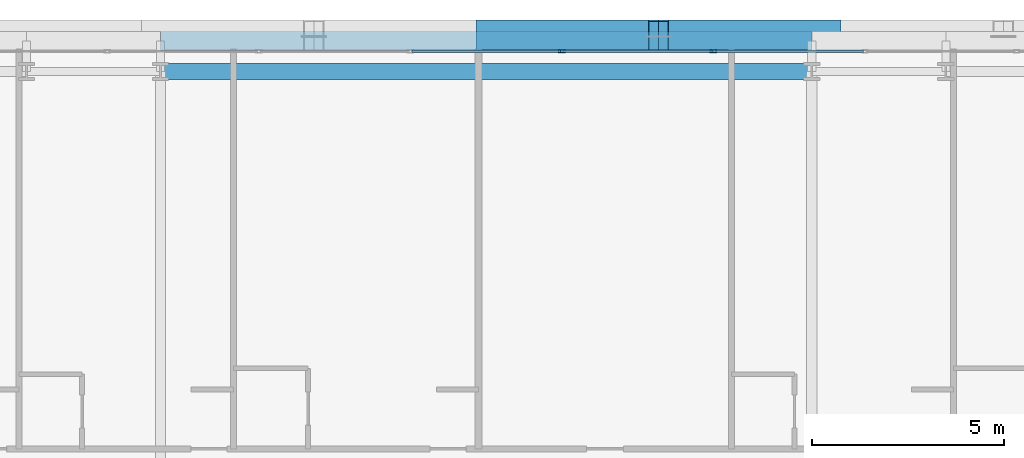
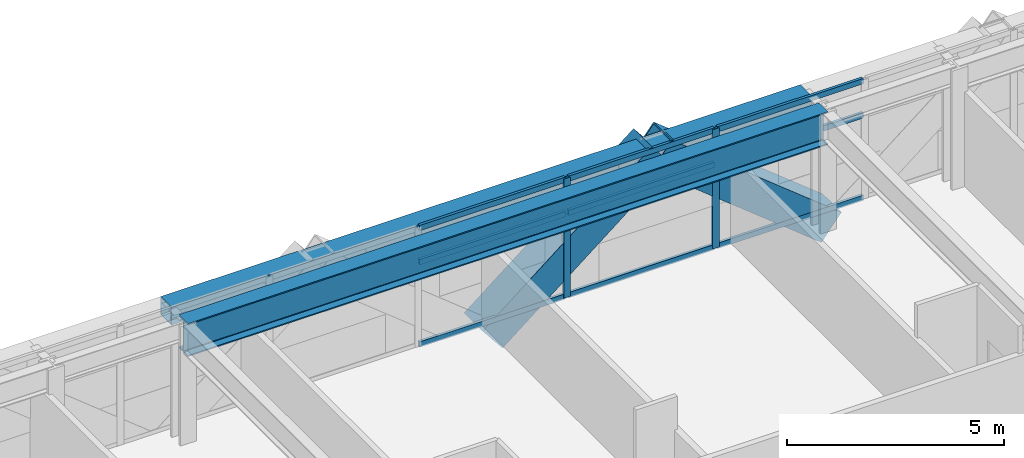
# One storey, part 19 of 35: 13 members, 2 beams, 1 element without a shape of its own.
"""IFC4 building model written with IfcOpenShell, lengths in metres."""

from ifc_helpers import new_model, si_unit, direction, frame, origin, origin_2d, place, context, subcontext, project, spatial, hollow_rectangle, i_section, extrude, source, transform, mapped, material, layer, layer_set, material_profile, profile_set, type_object, element, aggregate, save


model = new_model("IFC4")

# Units and contexts
model_context = context("Model", 3, precision=1e-05, world=origin(), true_north=direction((0.0, 1.0)))
body_context = subcontext(model_context, "Body", "Model", "MODEL_VIEW")
ifc_project = project(units=[si_unit("LENGTHUNIT", "METRE"), si_unit("AREAUNIT", "SQUARE_METRE"), si_unit("VOLUMEUNIT", "CUBIC_METRE"), si_unit("PLANEANGLEUNIT", "RADIAN"), si_unit("MASSUNIT", "GRAM", prefix="KILO")], contexts=[model_context])

# Site, building, storey
site_placement = place(None, origin())
site = spatial("IfcSite", under=ifc_project, at=site_placement, CompositionType="ELEMENT")
building_placement = place(site_placement, origin())
building = spatial("IfcBuilding", under=site, at=building_placement, Name="Ocotamira Hotel", CompositionType="ELEMENT")
storey_placement = place(building_placement, frame((0.0, 0.0, 49.199951171875)))
storey = spatial("IfcBuildingStorey", under=building, at=storey_placement, Name="L11", CompositionType="ELEMENT", Elevation=49.199951171875)

# Beams
ifc_material_1 = material(Name="Steel ASTM A992 Grade 50", Category="steel")
ifc_material_profile_1 = material_profile(ifc_material_1, i_section(OverallWidth=0.41796875, OverallDepth=0.927001953125, WebThickness=0.019287109375, FlangeThickness=0.031982421875, FilletRadius=0.02392578125, at=origin_2d()), Name="W36X231")
ifc_profile_set_1 = profile_set([ifc_material_profile_1], Name="Steel ASTM A992 Grade 50")
beam_type_1 = type_object("IfcBeamType", Name="BM-GIRD-W36X231", PredefinedType="BEAM", material=ifc_profile_set_1)
shared_shape_1 = source(origin(), body_context, "Body", "SweptSolid", [
    extrude(i_section(OverallWidth=0.41796875, OverallDepth=0.927001953125, WebThickness=0.019287109375, FlangeThickness=0.031982421875, FilletRadius=0.02392578125, at=origin_2d()), origin(), (0.0, 0.0, 1.0), 17.0),
])
beam_1_placement = place(storey_placement, frame((23.5, 49.050048828125, 2.886474609375), z_axis=(1.0, 0.0, 0.0), x_axis=(0.0, 1.0, 0.0)))
element("IfcBeam", 1, at=beam_1_placement, inside=storey, type_object=beam_type_1, Name="L11 Girder Y49.05 X23.5-40.5", PredefinedType="BEAM", context=body_context, shape_type="MappedRepresentation", body=[
    mapped(shared_shape_1, transform((0.0, 0.0, 0.0), scale=1.0)),
])
ifc_material_2 = material(Name="Steel ASTM A500 Grade C", Category="steel")
ifc_material_profile_2 = material_profile(ifc_material_2, hollow_rectangle(XDim=0.5, YDim=0.5, WallThickness=0.02001953125, at=origin_2d()), Name="HSS500X500X20")
ifc_profile_set_2 = profile_set([ifc_material_profile_2], Name="Steel ASTM A500 Grade C")
beam_type_2 = type_object("IfcBeamType", Name="BM-SPAN-HSS500", PredefinedType="USERDEFINED", material=ifc_profile_set_2)
shared_shape_2 = source(origin(), body_context, "Body", "SweptSolid", [
    extrude(hollow_rectangle(XDim=0.5, YDim=0.5, WallThickness=0.02001953125, at=origin_2d()), origin(), (0.0, 0.0, 1.0), 17.0),
])
beam_2_placement = place(storey_placement, frame((23.5, 49.85009765625, 3.10009765625), z_axis=(1.0, 0.0, 0.0), x_axis=(0.0, 1.0, 0.0)))
element("IfcBeam", 2, at=beam_2_placement, inside=storey, type_object=beam_type_2, Name="L11 Edge Spandrel N X23.5-40.5", ObjectType="SPANDREL", PredefinedType="USERDEFINED", context=body_context, shape_type="MappedRepresentation", body=[
    mapped(shared_shape_2, transform((0.0, 0.0, 0.0), scale=1.0)),
])

# Members
ifc_material_3 = material(Name="Pale-metal coated steel ASTM A913 Grade 65", Category="steel")
ifc_material_profile_3 = material_profile(ifc_material_3, hollow_rectangle(XDim=0.85009765625, YDim=0.85009765625, WallThickness=0.035888671875, at=origin_2d()), Name="BOX850X850X36")
ifc_profile_set_3 = profile_set([ifc_material_profile_3], Name="Pale-metal coated steel ASTM A913 Grade 65")
member_type_1 = type_object("IfcMemberType", Name="MEM-EXO-BOX850", PredefinedType="BRACE", material=ifc_profile_set_3)
shared_shape_3 = source(origin(), body_context, "Body", "SweptSolid", [
    extrude(hollow_rectangle(XDim=0.85009765625, YDim=0.85009765625, WallThickness=0.035888671875, at=origin_2d()), origin(), (0.0, 0.0, 1.0), 5.762939453125),
])
for number, where, z_axis, x_axis, name in (
    (3, (32.0, 49.969970703125, -0.5), (0.780860543151, 0.0, 0.624705380279), (0.0, 1.0, 0.0), "L11 Exoskeleton Diagrid N2.1"),
    (4, (41.0, 49.969970703125, -0.5), (-0.780860543151, 0.0, 0.624705380279), (0.0, -1.0, 0.0), "L11 Exoskeleton Diagrid N2.2"),
):
    element("IfcMember", number, at=place(storey_placement, frame(where, z_axis=z_axis, x_axis=x_axis)), inside=storey, type_object=member_type_1, Name=name, PredefinedType="BRACE", context=body_context, shape_type="MappedRepresentation", body=[
        mapped(shared_shape_3, transform((0.0, 0.0, 0.0), scale=1.0)),
    ])

# Curtain wall, members
ifc_material_4 = material(Name="Anodised pale-metal aluminium and solar glass", Category="aluminium")
ifc_layer = layer(ifc_material_4, 0.179931640625)
ifc_layer_set = layer_set([ifc_layer], Name="Anodised pale-metal aluminium and solar glass")
curtain_wall_type = type_object("IfcCurtainWallType", Name="CW-SYS2-Z1", PredefinedType="NOTDEFINED", material=ifc_layer_set)
curtain_wall_placement = place(storey_placement, origin())
curtain_wall = element("IfcCurtainWall", 5, at=curtain_wall_placement, inside=storey, type_object=curtain_wall_type, Name="L11 Curtain Wall CW-2 CW-L11-N", PredefinedType="NOTDEFINED")
ifc_material_5 = material(Name="Anodised pale-metal aluminium 6063-T6", Category="aluminium")
ifc_material_profile_4 = material_profile(ifc_material_5, hollow_rectangle(XDim=0.074951171875, YDim=0.14990234375, WallThickness=0.006103515625, at=origin_2d()), Name="HSS150X75X6")
ifc_profile_set_4 = profile_set([ifc_material_profile_4], Name="Anodised pale-metal aluminium 6063-T6")
member_type_2 = type_object("IfcMemberType", Name="CWT-150X75", PredefinedType="USERDEFINED", material=ifc_profile_set_4)
shared_shape_4 = source(origin(), body_context, "Body", "SweptSolid", [
    extrude(hollow_rectangle(XDim=0.074951171875, YDim=0.14990234375, WallThickness=0.006103515625, at=origin_2d()), origin(), (0.0, 0.0, 1.0), 3.87548828125),
])
member_1_placement = place(storey_placement, frame((30.062255859375, 49.580078125, 0.03759765625), z_axis=(1.0, 0.0, 0.0), x_axis=(0.0, 1.0, 0.0)))
member_1 = element("IfcMember", 6, at=member_1_placement, type_object=member_type_2, Name="CW-2 transom 5.1", ObjectType="TRANSOM", PredefinedType="USERDEFINED", context=body_context, shape_type="MappedRepresentation", body=[
    mapped(shared_shape_4, transform((0.0, 0.0, 0.0), scale=1.0)),
])
member_2_placement = place(storey_placement, frame((30.062255859375, 49.580078125, 2.35009765625), z_axis=(1.0, 0.0, 0.0), x_axis=(0.0, 1.0, 0.0)))
member_2 = element("IfcMember", 7, at=member_2_placement, type_object=member_type_2, Name="CW-2 transom 5.2", ObjectType="TRANSOM", PredefinedType="USERDEFINED", context=body_context, shape_type="MappedRepresentation", body=[
    mapped(shared_shape_4, transform((0.0, 0.0, 0.0), scale=1.0)),
])
member_3_placement = place(storey_placement, frame((30.062255859375, 49.580078125, 3.3125), z_axis=(1.0, 0.0, 0.0), x_axis=(0.0, 1.0, 0.0)))
member_3 = element("IfcMember", 8, at=member_3_placement, type_object=member_type_2, Name="CW-2 transom 5.3", ObjectType="TRANSOM", PredefinedType="USERDEFINED", context=body_context, shape_type="MappedRepresentation", body=[
    mapped(shared_shape_4, transform((0.0, 0.0, 0.0), scale=1.0)),
])
member_4_placement = place(storey_placement, frame((34.017822265625, 49.580078125, 0.03759765625), z_axis=(1.0, 0.0, 0.0), x_axis=(0.0, 1.0, 0.0)))
member_4 = element("IfcMember", 9, at=member_4_placement, type_object=member_type_2, Name="CW-2 transom 6.1", ObjectType="TRANSOM", PredefinedType="USERDEFINED", context=body_context, shape_type="MappedRepresentation", body=[
    mapped(shared_shape_4, transform((0.0, 0.0, 0.0), scale=1.0)),
])
member_5_placement = place(storey_placement, frame((34.017822265625, 49.580078125, 2.35009765625), z_axis=(1.0, 0.0, 0.0), x_axis=(0.0, 1.0, 0.0)))
member_5 = element("IfcMember", 10, at=member_5_placement, type_object=member_type_2, Name="CW-2 transom 6.2", ObjectType="TRANSOM", PredefinedType="USERDEFINED", context=body_context, shape_type="MappedRepresentation", body=[
    mapped(shared_shape_4, transform((0.0, 0.0, 0.0), scale=1.0)),
])
member_6_placement = place(storey_placement, frame((34.017822265625, 49.580078125, 3.3125), z_axis=(1.0, 0.0, 0.0), x_axis=(0.0, 1.0, 0.0)))
member_6 = element("IfcMember", 11, at=member_6_placement, type_object=member_type_2, Name="CW-2 transom 6.3", ObjectType="TRANSOM", PredefinedType="USERDEFINED", context=body_context, shape_type="MappedRepresentation", body=[
    mapped(shared_shape_4, transform((0.0, 0.0, 0.0), scale=1.0)),
])
member_7_placement = place(storey_placement, frame((37.973388671875, 49.580078125, 0.03759765625), z_axis=(1.0, 0.0, 0.0), x_axis=(0.0, 1.0, 0.0)))
member_7 = element("IfcMember", 12, at=member_7_placement, type_object=member_type_2, Name="CW-2 transom 7.1", ObjectType="TRANSOM", PredefinedType="USERDEFINED", context=body_context, shape_type="MappedRepresentation", body=[
    mapped(shared_shape_4, transform((0.0, 0.0, 0.0), scale=1.0)),
])
member_8_placement = place(storey_placement, frame((37.973388671875, 49.580078125, 2.35009765625), z_axis=(1.0, 0.0, 0.0), x_axis=(0.0, 1.0, 0.0)))
member_8 = element("IfcMember", 13, at=member_8_placement, type_object=member_type_2, Name="CW-2 transom 7.2", ObjectType="TRANSOM", PredefinedType="USERDEFINED", context=body_context, shape_type="MappedRepresentation", body=[
    mapped(shared_shape_4, transform((0.0, 0.0, 0.0), scale=1.0)),
])
member_9_placement = place(storey_placement, frame((37.973388671875, 49.580078125, 3.3125), z_axis=(1.0, 0.0, 0.0), x_axis=(0.0, 1.0, 0.0)))
member_9 = element("IfcMember", 14, at=member_9_placement, type_object=member_type_2, Name="CW-2 transom 7.3", ObjectType="TRANSOM", PredefinedType="USERDEFINED", context=body_context, shape_type="MappedRepresentation", body=[
    mapped(shared_shape_4, transform((0.0, 0.0, 0.0), scale=1.0)),
])
ifc_material_profile_5 = material_profile(ifc_material_5, hollow_rectangle(XDim=0.080078125, YDim=0.179931640625, WallThickness=0.006103515625, at=origin_2d()), Name="HSS180X80X6")
ifc_profile_set_5 = profile_set([ifc_material_profile_5], Name="Anodised pale-metal aluminium 6063-T6")
member_type_3 = type_object("IfcMemberType", Name="CWM-180X75", PredefinedType="MULLION", material=ifc_profile_set_5)
shared_shape_5 = source(origin(), body_context, "Body", "SweptSolid", [
    extrude(hollow_rectangle(XDim=0.080078125, YDim=0.179931640625, WallThickness=0.006103515625, at=origin_2d()), origin(), (0.0, 0.0, 1.0), 3.35009765625),
])
member_10_placement = place(storey_placement, frame((33.977783203125, 49.580078125, 0.0), z_axis=(0.0, 0.0, 1.0), x_axis=(0.0, 1.0, 0.0)))
member_10 = element("IfcMember", 15, at=member_10_placement, type_object=member_type_3, Name="CW-2 mullion 6", PredefinedType="MULLION", context=body_context, shape_type="MappedRepresentation", body=[
    mapped(shared_shape_5, transform((0.0, 0.0, 0.0), scale=1.0)),
])
member_11_placement = place(storey_placement, frame((37.933349609375, 49.580078125, 0.0), z_axis=(0.0, 0.0, 1.0), x_axis=(0.0, 1.0, 0.0)))
member_11 = element("IfcMember", 16, at=member_11_placement, type_object=member_type_3, Name="CW-2 mullion 7", PredefinedType="MULLION", context=body_context, shape_type="MappedRepresentation", body=[
    mapped(shared_shape_5, transform((0.0, 0.0, 0.0), scale=1.0)),
])
aggregate(curtain_wall, [member_10, member_11, member_1, member_2, member_3, member_4, member_5, member_6, member_7, member_8, member_9])

save(model, "model.ifc")
